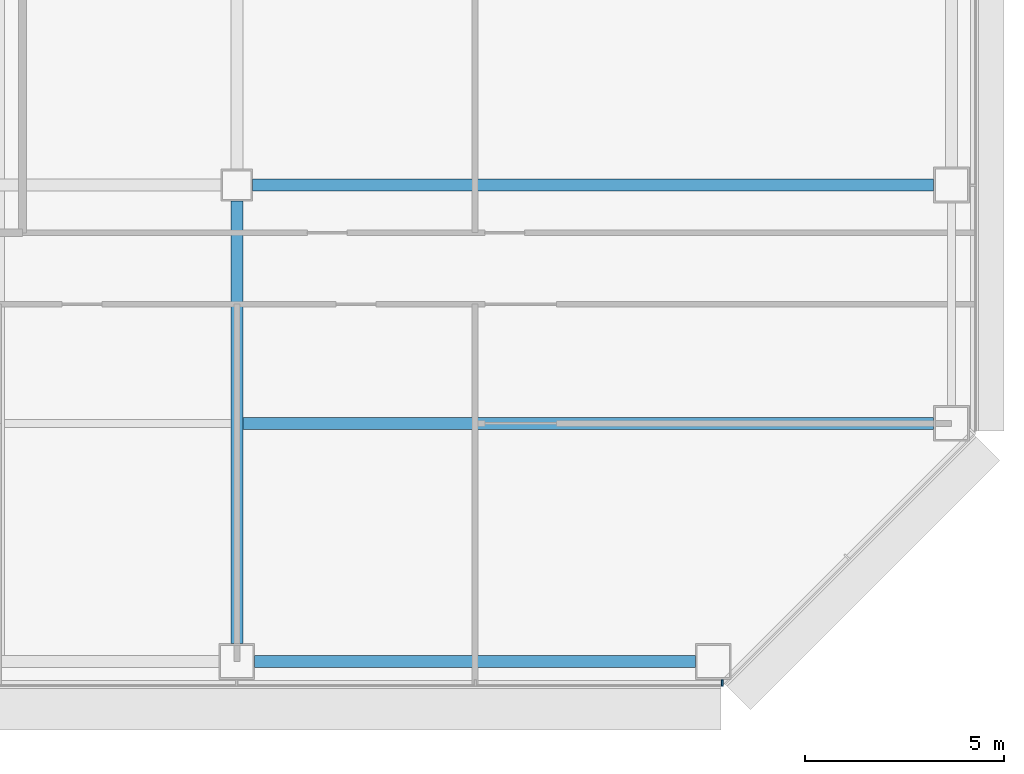
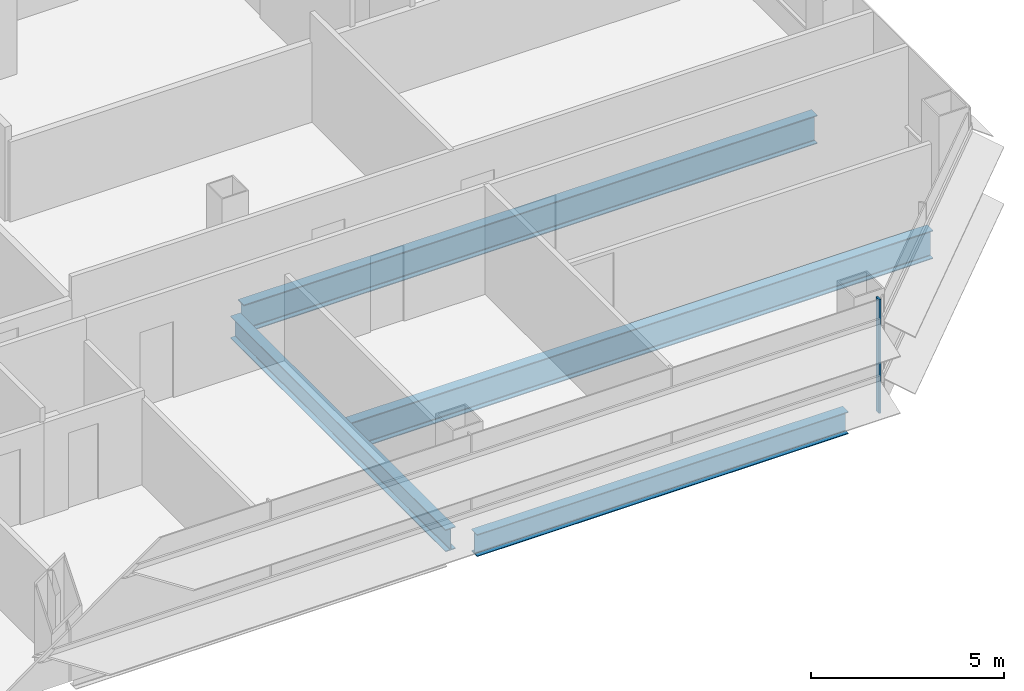
# One storey, part 9 of 26: 4 beams, 1 member, 1 element without a shape of its own.
"""IFC4 building model written with IfcOpenShell, lengths in metres."""

import ifcopenshell
import ifcopenshell.guid

model = None  # the IFC model being written
_history = None  # IfcOwnerHistory: only IFC2X3 demands one
_inside = {}  # id of a spatial element -> (the spatial element, [elements in it])
_under = {}  # id of a project, library or spatial element -> (it, [spatial elements below it])
_declared = {}  # id of a project -> (the project, [libraries it declares])
_typed = {}  # id of a type object -> (the type object, [elements of that type])
_made_of = {}  # id of a material, layer set ... -> (it, [elements and type objects made of it])


def new_model(schema):
    """Start an empty IFC model of exactly this schema.

    Asked for "IFC4X3", IfcOpenShell would pick the latest addendum, in which some entities
    have other attributes; the version numbers below select the first issue.
    IFC2X3 requires an IfcOwnerHistory on every rooted entity: one is made here for all.
    """
    global model, _history
    if schema == "IFC4X3":
        model = ifcopenshell.file(schema_version=(4, 3, 0, 0))
    else:
        model = ifcopenshell.file(schema=schema)
    _inside.clear()
    _under.clear()
    _declared.clear()
    _typed.clear()
    _made_of.clear()
    _history = None
    if model.schema == "IFC2X3":
        org = make("IfcOrganization", Name="unknown")
        user = make(
            "IfcPersonAndOrganization",
            ThePerson=make("IfcPerson", FamilyName="unknown"),
            TheOrganization=org,
        )
        app = make(
            "IfcApplication",
            ApplicationDeveloper=org,
            Version="unknown",
            ApplicationFullName="unknown",
            ApplicationIdentifier="unknown",
        )
        _history = make(
            "IfcOwnerHistory",
            OwningUser=user,
            OwningApplication=app,
            ChangeAction="ADDED",
            CreationDate=0,
        )
    return model


def make(cls, **values):
    """One entity of the class cls with the attributes given. An attribute that is None is left unset."""
    return model.create_entity(
        cls, **{name: value for name, value in values.items() if value is not None}
    )


def rooted(cls, **values):
    """An entity with a GlobalId (a new one), such as an element, a storey or a relation."""
    return make(cls, GlobalId=ifcopenshell.guid.new(), OwnerHistory=_history, **values)


def si_unit(unit_type, name, prefix=None):
    """IfcSIUnit, for example si_unit("LENGTHUNIT", "METRE", prefix="MILLI")."""
    return make("IfcSIUnit", UnitType=unit_type, Prefix=prefix, Name=name)


def assignment(units):
    """IfcUnitAssignment: the units of a project."""
    return None if units is None else make("IfcUnitAssignment", Units=units)


def point(xyz):
    """IfcCartesianPoint."""
    return None if xyz is None else make("IfcCartesianPoint", Coordinates=xyz)


def direction(xyz):
    """IfcDirection."""
    return None if xyz is None else make("IfcDirection", DirectionRatios=xyz)


def frame(location, z_axis=None, x_axis=None):
    """IfcAxis2Placement3D, a coordinate frame: its origin and axes. An axis left out is left unset."""
    return make(
        "IfcAxis2Placement3D",
        Location=point(location),
        Axis=direction(z_axis),
        RefDirection=direction(x_axis),
    )


def frame_2d(location, x_axis=None):
    """IfcAxis2Placement2D, a coordinate frame in the plane: its origin and x axis."""
    return make(
        "IfcAxis2Placement2D", Location=point(location), RefDirection=direction(x_axis)
    )


def origin():
    """The frame at (0, 0, 0) with its axes left unset."""
    return frame((0.0, 0.0, 0.0))


def origin_2d():
    """The frame at (0, 0) in the plane with its x axis left unset."""
    return frame_2d((0.0, 0.0))


def place(relative_to, where):
    """IfcLocalPlacement: puts the frame where relative to a parent placement (None: the world)."""
    return make(
        "IfcLocalPlacement", PlacementRelTo=relative_to, RelativePlacement=where
    )


def context(
    kind, dimensions, precision=None, world=None, true_north=None, identifier=None
):
    """IfcGeometricRepresentationContext, for example the 3D "Model" context."""
    return make(
        "IfcGeometricRepresentationContext",
        ContextIdentifier=identifier,
        ContextType=kind,
        CoordinateSpaceDimension=dimensions,
        Precision=precision,
        WorldCoordinateSystem=world,
        TrueNorth=true_north,
    )


def subcontext(parent, identifier, kind, view, scale=None):
    """IfcGeometricRepresentationSubContext, for example "Body" below "Model"."""
    return make(
        "IfcGeometricRepresentationSubContext",
        ContextIdentifier=identifier,
        ContextType=kind,
        ParentContext=parent,
        TargetScale=scale,
        TargetView=view,
    )


def project(units=None, contexts=None):
    """IfcProject with its units and contexts."""
    return rooted(
        "IfcProject",
        Name="project",
        RepresentationContexts=contexts,
        UnitsInContext=assignment(units),
    )


def spatial(cls, under=None, at=None, **own):
    """A site, building, storey or space (cls), placed at a placement, below another one or the project."""
    s = rooted(cls, ObjectPlacement=at, **own)
    if under is not None:
        _under.setdefault(under.id(), (under, []))[1].append(s)
    return s


def profile(cls, at=None, kind="AREA", **sizes):
    """A parametric profile (cls). Its sizes go by their IFC names, for example OverallWidth=200.0."""
    return make(cls, ProfileType=kind, Position=at, **sizes)


def rectangle(**sizes):
    """IfcRectangleProfileDef."""
    return profile("IfcRectangleProfileDef", **sizes)


def i_section(**sizes):
    """IfcIShapeProfileDef."""
    return profile("IfcIShapeProfileDef", **sizes)


def extrude(swept, where, along, depth):
    """IfcExtrudedAreaSolid: the profile swept, set in the frame where, extruded along a direction by depth."""
    return make(
        "IfcExtrudedAreaSolid",
        SweptArea=swept,
        Position=where,
        ExtrudedDirection=direction(along),
        Depth=depth,
    )


def shape(context_of_items, identifier, shape_type, items):
    """IfcShapeRepresentation: the items that make up one representation, for example the "Body"."""
    return make(
        "IfcShapeRepresentation",
        ContextOfItems=context_of_items,
        RepresentationIdentifier=identifier,
        RepresentationType=shape_type,
        Items=items,
    )


def material(Name=None, Category=None):
    """IfcMaterial."""
    return make("IfcMaterial", Name=Name, Category=Category)


def material_profile(
    of_material, cross_section, Name=None, Category=None, Priority=None
):
    """IfcMaterialProfile: a cross section and its material."""
    return make(
        "IfcMaterialProfile",
        Name=Name,
        Material=of_material,
        Profile=cross_section,
        Priority=Priority,
        Category=Category,
    )


def profile_set(profiles, Name=None, composite=None):
    """IfcMaterialProfileSet."""
    return make(
        "IfcMaterialProfileSet",
        Name=Name,
        MaterialProfiles=profiles,
        CompositeProfile=composite,
    )


def made_of(thing, what):
    """Note that an element or type object is made of a material, layer set ...; save() writes the relation."""
    if what is not None:
        _made_of.setdefault(what.id(), (what, []))[1].append(thing)
    return thing


def type_object(cls, material=None, **own):
    """A type object (cls), such as IfcWallType, which elements share."""
    return made_of(rooted(cls, **own), material)


def element(
    cls,
    number,
    at=None,
    inside=None,
    cuts=None,
    type_object=None,
    material=None,
    context=None,
    identifier="Body",
    shape_type=None,
    held_by="IfcProductDefinitionShape",
    body=None,
    shapes=None,
    **own,
):
    """One element of the class cls, such as IfcWall. Its Tag is "e" and its number.

    at: its placement. inside: the storey or other place that contains it. cuts: it is an
    opening in that element (IfcRelVoidsElement). A single representation is given by context,
    identifier, shape_type and body (its items); several are given by shapes. held_by: the class
    of the entity that holds the representations. save() writes the other relations.
    """
    e = rooted(cls, Tag="e%d" % number, ObjectPlacement=at, **own)
    if body is not None:
        shapes = [shape(context, identifier, shape_type, body)]
    if shapes is not None:
        e.Representation = make(held_by, Representations=shapes)
    if inside is not None:
        _inside.setdefault(inside.id(), (inside, []))[1].append(e)
    if cuts is not None:
        rooted(
            "IfcRelVoidsElement", RelatingBuildingElement=cuts, RelatedOpeningElement=e
        )
    if type_object is not None:
        _typed.setdefault(type_object.id(), (type_object, []))[1].append(e)
    return made_of(e, material)


def aggregate(whole, parts):
    """IfcRelAggregates: a whole, such as a stair, and the parts it consists of."""
    return rooted("IfcRelAggregates", RelatingObject=whole, RelatedObjects=parts)


def save(model, path):
    """Write the relations noted so far, then the file.

    IfcRelAggregates (storeys below a building ...), IfcRelContainedInSpatialStructure (elements
    in a storey), IfcRelDefinesByType, IfcRelAssociatesMaterial and IfcRelDeclares: one each for
    every whole, place, type object, material and project.
    """
    for whole, parts in _under.values():
        aggregate(whole, parts)
    for where, things in _inside.values():
        rooted(
            "IfcRelContainedInSpatialStructure",
            RelatedElements=things,
            RelatingStructure=where,
        )
    for kind, things in _typed.values():
        rooted("IfcRelDefinesByType", RelatedObjects=things, RelatingType=kind)
    for what, things in _made_of.values():
        rooted("IfcRelAssociatesMaterial", RelatedObjects=things, RelatingMaterial=what)
    for by, libraries in _declared.values():
        rooted("IfcRelDeclares", RelatingContext=by, RelatedDefinitions=libraries)
    model.write(path)


model = new_model("IFC4")

# Units and contexts
model_context = context("Model", 3, precision=1e-05, world=origin(), true_north=direction((0.0, 1.0)))
body_context = subcontext(model_context, "Body", "Model", "MODEL_VIEW")
ifc_project = project(units=[si_unit("LENGTHUNIT", "METRE"), si_unit("AREAUNIT", "SQUARE_METRE"), si_unit("VOLUMEUNIT", "CUBIC_METRE"), si_unit("PLANEANGLEUNIT", "RADIAN"), si_unit("MASSUNIT", "GRAM", prefix="KILO")], contexts=[model_context])

# Site, building, storey
site_placement = place(None, origin())
site = spatial("IfcSite", under=ifc_project, at=site_placement, CompositionType="ELEMENT")
building_placement = place(site_placement, origin())
building = spatial("IfcBuilding", under=site, at=building_placement, Name="Sorahane Residences", CompositionType="ELEMENT")
storey_placement = place(building_placement, frame((0.0, 0.0, 64.199951171875)))
storey = spatial("IfcBuildingStorey", under=building, at=storey_placement, Name="L12", CompositionType="ELEMENT", Elevation=64.199951171875)

# Curtain wall, member
ifc_material_1 = material(Name="Dark low-e glass and black anodised aluminium", Category="aluminium")
curtain_wall_type = type_object("IfcCurtainWallType", Name="Curtain wall CW-1 Typical unitised wall", PredefinedType="NOTDEFINED", material=ifc_material_1)
curtain_wall_placement = place(storey_placement, origin())
curtain_wall = element("IfcCurtainWall", 1, at=curtain_wall_placement, inside=storey, type_object=curtain_wall_type, Name="CW-1 curtain wall L12 S1", PredefinedType="NOTDEFINED")
ifc_material_2 = material(Name="Black anodised aluminium", Category="aluminium")
ifc_material_profile_1 = material_profile(ifc_material_2, rectangle(XDim=0.159912109375, YDim=0.050048828125, at=origin_2d()), Name="Curtain wall mullion CW-1 black anodised aluminium 50x160")
ifc_profile_set_1 = profile_set([ifc_material_profile_1], Name="Black anodised aluminium")
member_type = type_object("IfcMemberType", Name="Curtain wall mullion CW-1 black anodised aluminium 50x160", PredefinedType="MULLION", material=ifc_profile_set_1)
member_placement = place(storey_placement, frame((60.2236328125, -0.5400390625, -0.179931640625), z_axis=(0.0, 0.0, 1.0), x_axis=(0.0, -1.0, 0.0)))
member = element("IfcMember", 2, at=member_placement, type_object=member_type, Name="CW-1 mullion L12 S1.10", PredefinedType="MULLION", context=body_context, shape_type="SweptSolid", body=[
    extrude(rectangle(XDim=0.159912109375, YDim=0.050048828125, at=origin_2d()), origin(), (0.0, 0.0, 1.0), 3.60009765625),
])
aggregate(curtain_wall, [member])

# Beams
ifc_material_3 = material(Name="Steel Q355B", Category="steel")
ifc_material_profile_2 = material_profile(ifc_material_3, i_section(OverallWidth=0.300048828125, OverallDepth=0.699951171875, WebThickness=0.012939453125, FlangeThickness=0.02392578125, FilletRadius=0.028076171875, at=origin_2d()), Name="HN 700x300x13x24")
ifc_profile_set_2 = profile_set([ifc_material_profile_2], Name="Steel Q355B")
beam_type_1 = type_object("IfcBeamType", Name="Steel floor beam HN 700x300x13x24 Q355B", PredefinedType="BEAM", material=ifc_profile_set_2)
beam_1_placement = place(storey_placement, frame((48.449951171875, 0.0, -0.530029296875), z_axis=(1.0, 0.0, 0.0), x_axis=(0.0, 1.0, 0.0)))
element("IfcBeam", 3, at=beam_1_placement, inside=storey, type_object=beam_type_1, Name="Beam L12 004", PredefinedType="BEAM", context=body_context, shape_type="SweptSolid", body=[
    extrude(i_section(OverallWidth=0.300048828125, OverallDepth=0.699951171875, WebThickness=0.012939453125, FlangeThickness=0.02392578125, FilletRadius=0.028076171875, at=origin_2d()), origin(), (0.0, 0.0, 1.0), 11.10009765625),
])
beam_2_placement = place(storey_placement, frame((48.0, 0.449951171875, -0.530029296875), z_axis=(0.0, 1.0, 0.0), x_axis=(-1.0, 0.0, 0.0)))
element("IfcBeam", 4, at=beam_2_placement, inside=storey, type_object=beam_type_1, Name="Beam L12 051", PredefinedType="BEAM", context=body_context, shape_type="SweptSolid", body=[
    extrude(i_section(OverallWidth=0.300048828125, OverallDepth=0.699951171875, WebThickness=0.012939453125, FlangeThickness=0.02392578125, FilletRadius=0.028076171875, at=origin_2d()), origin(), (0.0, 0.0, 1.0), 11.150146484375),
])
ifc_material_4 = material(Name="Steel Q355B", Category="steel")
ifc_material_profile_3 = material_profile(ifc_material_4, i_section(OverallWidth=0.300048828125, OverallDepth=0.89990234375, WebThickness=0.01611328125, FlangeThickness=0.028076171875, FilletRadius=0.028076171875, at=origin_2d()), Name="HN 900x300x16x28")
ifc_profile_set_3 = profile_set([ifc_material_profile_3], Name="Steel Q355B")
beam_type_2 = type_object("IfcBeamType", Name="Steel floor beam HN 900x300x16x28 Q355B", PredefinedType="BEAM", material=ifc_profile_set_3)
beam_3_placement = place(storey_placement, frame((48.39990234375, 12.0, -0.6298828125), z_axis=(1.0, 0.0, 0.0), x_axis=(0.0, 1.0, 0.0)))
element("IfcBeam", 5, at=beam_3_placement, inside=storey, type_object=beam_type_2, Name="Beam L12 009", PredefinedType="BEAM", context=body_context, shape_type="SweptSolid", body=[
    extrude(i_section(OverallWidth=0.300048828125, OverallDepth=0.89990234375, WebThickness=0.01611328125, FlangeThickness=0.028076171875, FilletRadius=0.028076171875, at=origin_2d()), origin(), (0.0, 0.0, 1.0), 17.150146484375),
])
beam_4_placement = place(storey_placement, frame((48.14990234375, 6.0, -0.6298828125), z_axis=(1.0, 0.0, 0.0), x_axis=(0.0, 1.0, 0.0)))
element("IfcBeam", 6, at=beam_4_placement, inside=storey, type_object=beam_type_2, Name="Beam L12 069", PredefinedType="BEAM", context=body_context, shape_type="SweptSolid", body=[
    extrude(i_section(OverallWidth=0.300048828125, OverallDepth=0.89990234375, WebThickness=0.01611328125, FlangeThickness=0.028076171875, FilletRadius=0.028076171875, at=origin_2d()), origin(), (0.0, 0.0, 1.0), 17.400146484375),
])

save(model, "model.ifc")
